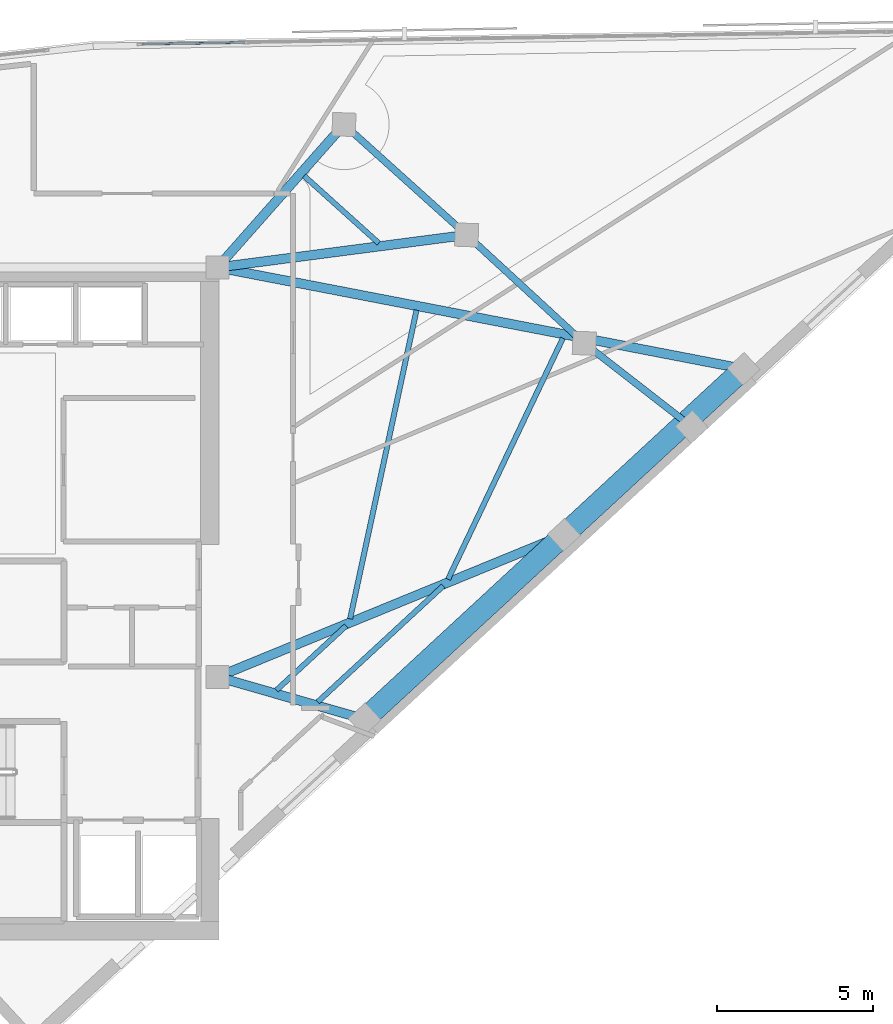
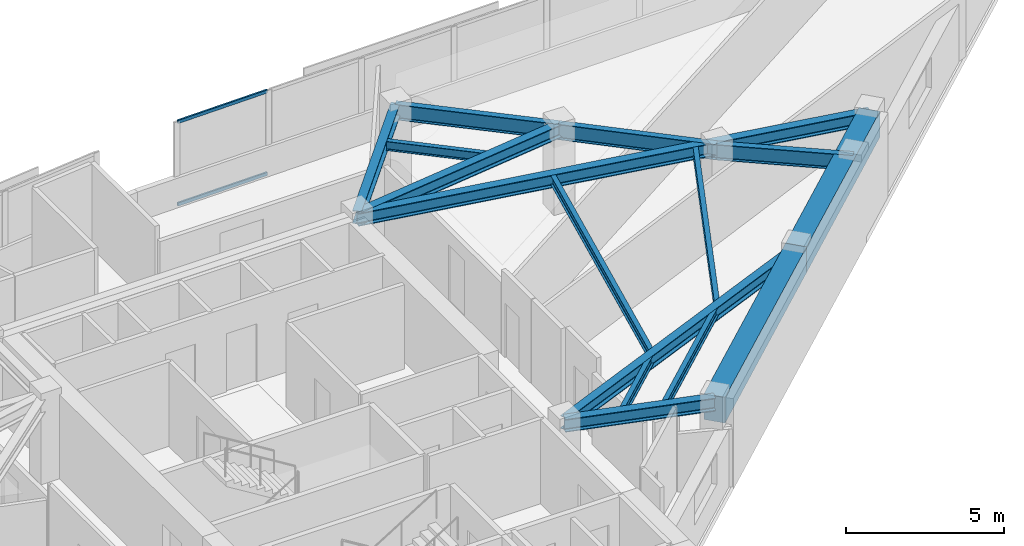
# One storey, part 4 of 13: 15 beams, 2 members, 1 element without a shape of its own.
"""IFC4 building model written with IfcOpenShell, lengths in metres."""

from ifc_helpers import new_model, si_unit, direction, frame, origin, origin_2d, place, context, subcontext, project, spatial, rectangle, hollow_rectangle, i_section, extrude, material, material_profile, profile_set, type_object, element, aggregate, save


model = new_model("IFC4")

# Units and contexts
model_context = context("Model", 3, precision=1e-05, world=origin(), true_north=direction((0.0, 1.0)))
body_context = subcontext(model_context, "Body", "Model", "MODEL_VIEW")
ifc_project = project(units=[si_unit("LENGTHUNIT", "METRE"), si_unit("AREAUNIT", "SQUARE_METRE"), si_unit("VOLUMEUNIT", "CUBIC_METRE"), si_unit("PLANEANGLEUNIT", "RADIAN"), si_unit("MASSUNIT", "GRAM", prefix="KILO")], contexts=[model_context])

# Site, building, storey
site_placement = place(None, origin())
site = spatial("IfcSite", under=ifc_project, at=site_placement, CompositionType="ELEMENT")
building_placement = place(site_placement, origin())
building = spatial("IfcBuilding", under=site, at=building_placement, Name="Narakoshi Arena Tower", CompositionType="ELEMENT")
storey_placement = place(building_placement, frame((0.0, 0.0, 281.860107421875)))
storey = spatial("IfcBuildingStorey", under=building, at=storey_placement, Name="L77", CompositionType="ELEMENT", Elevation=281.860107421875)

# Beams
ifc_material_1 = material(Name="Concrete C60/75", Category="concrete")
ifc_material_profile_1 = material_profile(ifc_material_1, rectangle(XDim=0.699951171875, YDim=1.0, at=origin_2d()), Name="RCB700x1000")
ifc_profile_set_1 = profile_set([ifc_material_profile_1], Name="Concrete C60/75")
beam_type_1 = type_object("IfcBeamType", Name="BM-CPL-1000", PredefinedType="BEAM", material=ifc_profile_set_1)
beam_1_placement = place(storey_placement, frame((90.2734375, 41.992919921875, 2.760009765625), z_axis=(0.734326819586, 0.678796082809, 0.0), x_axis=(-0.678796082809, 0.734326819586, 0.0)))
element("IfcBeam", 1, at=beam_1_placement, inside=storey, type_object=beam_type_1, Name="L77 Perimeter Edge Girder 01", PredefinedType="BEAM", context=body_context, shape_type="SweptSolid", body=[
    extrude(rectangle(XDim=0.699951171875, YDim=1.0, at=origin_2d()), origin(), (0.0, 0.0, 1.0), 8.72265625),
])
beam_2_placement = place(storey_placement, frame((96.6787109375, 47.913818359375, 2.760009765625), z_axis=(0.734333489286, 0.678788867405, 0.0), x_axis=(-0.678788867405, 0.734333489286, 0.0)))
element("IfcBeam", 2, at=beam_2_placement, inside=storey, type_object=beam_type_1, Name="L77 Perimeter Edge Girder 02", PredefinedType="BEAM", context=body_context, shape_type="SweptSolid", body=[
    extrude(rectangle(XDim=0.699951171875, YDim=1.0, at=origin_2d()), origin(), (0.0, 0.0, 1.0), 7.85009765625),
])
ifc_material_2 = material(Name="Structural steel S355J2", Category="steel")
ifc_material_profile_2 = material_profile(ifc_material_2, i_section(OverallWidth=0.219970703125, OverallDepth=0.60009765625, WebThickness=0.011962890625, FlangeThickness=0.01904296875, FilletRadius=0.02392578125, at=origin_2d()), Name="IPE600")
ifc_profile_set_2 = profile_set([ifc_material_profile_2], Name="Structural steel S355J2")
beam_type_2 = type_object("IfcBeamType", Name="BM-EDGE-600", PredefinedType="BEAM", material=ifc_profile_set_2)
beam_3_placement = place(storey_placement, frame((100.78173828125, 51.379638671875, 2.9599609375), z_axis=(-0.789307135535, 0.613998571491, 0.0), x_axis=(-0.613998571491, -0.789307135535, 0.0)))
element("IfcBeam", 3, at=beam_3_placement, inside=storey, type_object=beam_type_2, Name="L77 Perimeter Edge Girder 04", PredefinedType="BEAM", context=body_context, shape_type="SweptSolid", body=[
    extrude(i_section(OverallWidth=0.219970703125, OverallDepth=0.60009765625, WebThickness=0.011962890625, FlangeThickness=0.01904296875, FilletRadius=0.02392578125, at=origin_2d()), origin(), (0.0, 0.0, 1.0), 4.374267578125),
])
beam_4_placement = place(storey_placement, frame((97.3291015625, 54.0654296875, 2.9599609375), z_axis=(-0.735759504933, 0.677242903914, 0.0), x_axis=(-0.677242903914, -0.735759504933, 0.0)))
element("IfcBeam", 4, at=beam_4_placement, inside=storey, type_object=beam_type_2, Name="L77 Perimeter Edge Girder 05", PredefinedType="BEAM", context=body_context, shape_type="SweptSolid", body=[
    extrude(i_section(OverallWidth=0.219970703125, OverallDepth=0.60009765625, WebThickness=0.011962890625, FlangeThickness=0.01904296875, FilletRadius=0.02392578125, at=origin_2d()), origin(), (0.0, 0.0, 1.0), 5.135986328125),
])
beam_5_placement = place(storey_placement, frame((93.55029296875, 57.543701171875, 2.9599609375), z_axis=(-0.743147547665, 0.66912758305, 0.0), x_axis=(-0.66912758305, -0.743147547665, 0.0)))
element("IfcBeam", 5, at=beam_5_placement, inside=storey, type_object=beam_type_2, Name="L77 Perimeter Edge Girder 06", PredefinedType="BEAM", context=body_context, shape_type="SweptSolid", body=[
    extrude(i_section(OverallWidth=0.219970703125, OverallDepth=0.60009765625, WebThickness=0.011962890625, FlangeThickness=0.01904296875, FilletRadius=0.02392578125, at=origin_2d()), origin(), (0.0, 0.0, 1.0), 5.30029296875),
])
ifc_material_profile_3 = material_profile(ifc_material_2, i_section(OverallWidth=0.300048828125, OverallDepth=0.5, WebThickness=0.014404296875, FlangeThickness=0.028076171875, FilletRadius=0.027099609375, at=origin_2d()), Name="HE500B")
ifc_profile_set_3 = profile_set([ifc_material_profile_3], Name="Structural steel S355J2")
beam_type_3 = type_object("IfcBeamType", Name="BM-PRI-500", PredefinedType="BEAM", material=ifc_profile_set_3)
beam_6_placement = place(storey_placement, frame((85.550048828125, 43.35009765625, 3.010009765625), z_axis=(0.961112330887, -0.276157721993, 0.0), x_axis=(0.276157721993, 0.961112330887, 0.0)))
element("IfcBeam", 6, at=beam_6_placement, inside=storey, type_object=beam_type_3, Name="L77 Radial Primary Floor Girder 01", PredefinedType="BEAM", context=body_context, shape_type="SweptSolid", body=[
    extrude(i_section(OverallWidth=0.300048828125, OverallDepth=0.5, WebThickness=0.014404296875, FlangeThickness=0.028076171875, FilletRadius=0.027099609375, at=origin_2d()), origin(), (0.0, 0.0, 1.0), 4.91455078125),
])
beam_7_placement = place(storey_placement, frame((85.550048828125, 43.35009765625, 3.010009765625), z_axis=(0.925223618811, 0.379422265021, 0.0), x_axis=(-0.379422265021, 0.925223618811, 0.0)))
element("IfcBeam", 7, at=beam_7_placement, inside=storey, type_object=beam_type_3, Name="L77 Radial Primary Floor Girder 02", PredefinedType="BEAM", context=body_context, shape_type="SweptSolid", body=[
    extrude(i_section(OverallWidth=0.300048828125, OverallDepth=0.5, WebThickness=0.014404296875, FlangeThickness=0.028076171875, FilletRadius=0.027099609375, at=origin_2d()), origin(), (0.0, 0.0, 1.0), 12.028076171875),
])
beam_8_placement = place(storey_placement, frame((85.550048828125, 56.5, 3.010009765625), z_axis=(0.98191087483, -0.189343692505, 0.0), x_axis=(0.189343692505, 0.98191087483, 0.0)))
element("IfcBeam", 8, at=beam_8_placement, inside=storey, type_object=beam_type_3, Name="L77 Radial Primary Floor Girder 03", PredefinedType="BEAM", context=body_context, shape_type="SweptSolid", body=[
    extrude(i_section(OverallWidth=0.300048828125, OverallDepth=0.5, WebThickness=0.014404296875, FlangeThickness=0.028076171875, FilletRadius=0.027099609375, at=origin_2d()), origin(), (0.0, 0.0, 1.0), 17.20458984375),
])
beam_9_placement = place(storey_placement, frame((85.550048828125, 56.5, 3.010009765625), z_axis=(0.991597373641, 0.129362469783, 0.0), x_axis=(-0.129362469783, 0.991597373641, 0.0)))
element("IfcBeam", 9, at=beam_9_placement, inside=storey, type_object=beam_type_3, Name="L77 Radial Primary Floor Girder 06", PredefinedType="BEAM", context=body_context, shape_type="SweptSolid", body=[
    extrude(i_section(OverallWidth=0.300048828125, OverallDepth=0.5, WebThickness=0.014404296875, FlangeThickness=0.028076171875, FilletRadius=0.027099609375, at=origin_2d()), origin(), (0.0, 0.0, 1.0), 8.068115234375),
])
beam_10_placement = place(storey_placement, frame((85.550048828125, 56.5, 3.010009765625), z_axis=(0.662628886894, 0.748947900894, 0.0), x_axis=(-0.748947900894, 0.662628886894, 0.0)))
element("IfcBeam", 10, at=beam_10_placement, inside=storey, type_object=beam_type_3, Name="L77 Radial Primary Floor Girder 07", PredefinedType="BEAM", context=body_context, shape_type="SweptSolid", body=[
    extrude(i_section(OverallWidth=0.300048828125, OverallDepth=0.5, WebThickness=0.014404296875, FlangeThickness=0.028076171875, FilletRadius=0.027099609375, at=origin_2d()), origin(), (0.0, 0.0, 1.0), 6.129150390625),
])
ifc_material_profile_4 = material_profile(ifc_material_2, i_section(OverallWidth=0.169921875, OverallDepth=0.360107421875, WebThickness=0.008056640625, FlangeThickness=0.0126953125, FilletRadius=0.01806640625, at=origin_2d()), Name="IPE360")
ifc_profile_set_4 = profile_set([ifc_material_profile_4], Name="Structural steel S355J2")
beam_type_4 = type_object("IfcBeamType", Name="BM-SEC-360", PredefinedType="JOIST", material=ifc_profile_set_4)
beam_11_placement = place(storey_placement, frame((87.444091796875, 42.92578125, 3.079833984375), z_axis=(0.734268297495, 0.678859386982, 0.0), x_axis=(-0.678859386982, 0.734268297495, 0.0)))
element("IfcBeam", 11, at=beam_11_placement, inside=storey, type_object=beam_type_4, Name="L77 Composite Secondary Floor Joist 01", PredefinedType="JOIST", context=body_context, shape_type="SweptSolid", body=[
    extrude(i_section(OverallWidth=0.169921875, OverallDepth=0.360107421875, WebThickness=0.008056640625, FlangeThickness=0.0126953125, FilletRadius=0.01806640625, at=origin_2d()), origin(), (0.0, 0.0, 1.0), 3.044677734375),
])
beam_12_placement = place(storey_placement, frame((88.7666015625, 42.5458984375, 3.079833984375), z_axis=(0.734325629348, 0.678797370415, 0.0), x_axis=(-0.678797370415, 0.734325629348, 0.0)))
element("IfcBeam", 12, at=beam_12_placement, inside=storey, type_object=beam_type_4, Name="L77 Composite Secondary Floor Joist 02", PredefinedType="JOIST", context=body_context, shape_type="SweptSolid", body=[
    extrude(i_section(OverallWidth=0.169921875, OverallDepth=0.360107421875, WebThickness=0.008056640625, FlangeThickness=0.0126953125, FilletRadius=0.01806640625, at=origin_2d()), origin(), (0.0, 0.0, 1.0), 5.487060546875),
])
beam_13_placement = place(storey_placement, frame((89.807373046875, 45.21630859375, 3.079833984375), z_axis=(0.210415196276, 0.977612113865, 0.0), x_axis=(-0.977612113865, 0.210415196276, 0.0)))
element("IfcBeam", 13, at=beam_13_placement, inside=storey, type_object=beam_type_4, Name="L77 Composite Secondary Floor Joist 03", PredefinedType="JOIST", context=body_context, shape_type="SweptSolid", body=[
    extrude(i_section(OverallWidth=0.169921875, OverallDepth=0.360107421875, WebThickness=0.008056640625, FlangeThickness=0.0126953125, FilletRadius=0.01806640625, at=origin_2d()), origin(), (0.0, 0.0, 1.0), 10.140869140625),
])
beam_14_placement = place(storey_placement, frame((92.952880859375, 46.48388671875, 3.079833984375), z_axis=(0.430020856008, 0.902818953832, 0.0), x_axis=(-0.902818953832, 0.430020856008, 0.0)))
element("IfcBeam", 14, at=beam_14_placement, inside=storey, type_object=beam_type_4, Name="L77 Composite Secondary Floor Joist 04", PredefinedType="JOIST", context=body_context, shape_type="SweptSolid", body=[
    extrude(i_section(OverallWidth=0.169921875, OverallDepth=0.360107421875, WebThickness=0.008056640625, FlangeThickness=0.0126953125, FilletRadius=0.01806640625, at=origin_2d()), origin(), (0.0, 0.0, 1.0), 8.578125),
])
beam_15_placement = place(storey_placement, frame((90.72998046875, 57.279052734375, 3.079833984375), z_axis=(-0.743154999107, 0.669119307225, 0.0), x_axis=(-0.669119307225, -0.743154999107, 0.0)))
element("IfcBeam", 15, at=beam_15_placement, inside=storey, type_object=beam_type_4, Name="L77 Composite Secondary Floor Joist 05", PredefinedType="JOIST", context=body_context, shape_type="SweptSolid", body=[
    extrude(i_section(OverallWidth=0.169921875, OverallDepth=0.360107421875, WebThickness=0.008056640625, FlangeThickness=0.0126953125, FilletRadius=0.01806640625, at=origin_2d()), origin(), (0.0, 0.0, 1.0), 3.228271484375),
])

# Curtain wall, members
ifc_material_3 = material(Name="Anodised bronze aluminium 6063-T6", Category="aluminium")
curtain_wall_type = type_object("IfcCurtainWallType", Name="CW-HYP-HIGH", PredefinedType="NOTDEFINED", material=ifc_material_3)
curtain_wall_placement = place(storey_placement, origin())
curtain_wall = element("IfcCurtainWall", 16, at=curtain_wall_placement, inside=storey, type_object=curtain_wall_type, Name="L77 Folded Hypotenuse Curtain Wall 1-1", PredefinedType="NOTDEFINED")
ifc_material_profile_5 = material_profile(ifc_material_3, hollow_rectangle(XDim=0.06494140625, YDim=0.1298828125, WallThickness=0.00390625, OuterFilletRadius=0.0048828125, at=origin_2d()), Name="TRN130x65x4")
ifc_profile_set_5 = profile_set([ifc_material_profile_5], Name="Anodised bronze aluminium 6063-T6")
member_type = type_object("IfcMemberType", Name="MEM-TRN-130", PredefinedType="USERDEFINED", material=ifc_profile_set_5)
member_1_placement = place(storey_placement, frame((86.427978515625, 63.72314453125, 0.032470703125), z_axis=(-0.999864541825, -0.016458979318, 0.0), x_axis=(0.016458979318, -0.999864541825, 0.0)))
member_1 = element("IfcMember", 17, at=member_1_placement, type_object=member_type, Name="CW-03 transom 8.1", ObjectType="TRANSOM", PredefinedType="USERDEFINED", context=body_context, shape_type="SweptSolid", body=[
    extrude(hollow_rectangle(XDim=0.06494140625, YDim=0.1298828125, WallThickness=0.00390625, OuterFilletRadius=0.0048828125, at=origin_2d()), origin(), (0.0, 0.0, 1.0), 3.307861328125),
])
member_2_placement = place(storey_placement, frame((86.427978515625, 63.72314453125, 3.227294921875), z_axis=(-0.999864541825, -0.016458979318, 0.0), x_axis=(0.016458979318, -0.999864541825, 0.0)))
member_2 = element("IfcMember", 18, at=member_2_placement, type_object=member_type, Name="CW-03 transom 8.2", ObjectType="TRANSOM", PredefinedType="USERDEFINED", context=body_context, shape_type="SweptSolid", body=[
    extrude(hollow_rectangle(XDim=0.06494140625, YDim=0.1298828125, WallThickness=0.00390625, OuterFilletRadius=0.0048828125, at=origin_2d()), origin(), (0.0, 0.0, 1.0), 3.307861328125),
])
aggregate(curtain_wall, [member_1, member_2])

save(model, "model.ifc")
